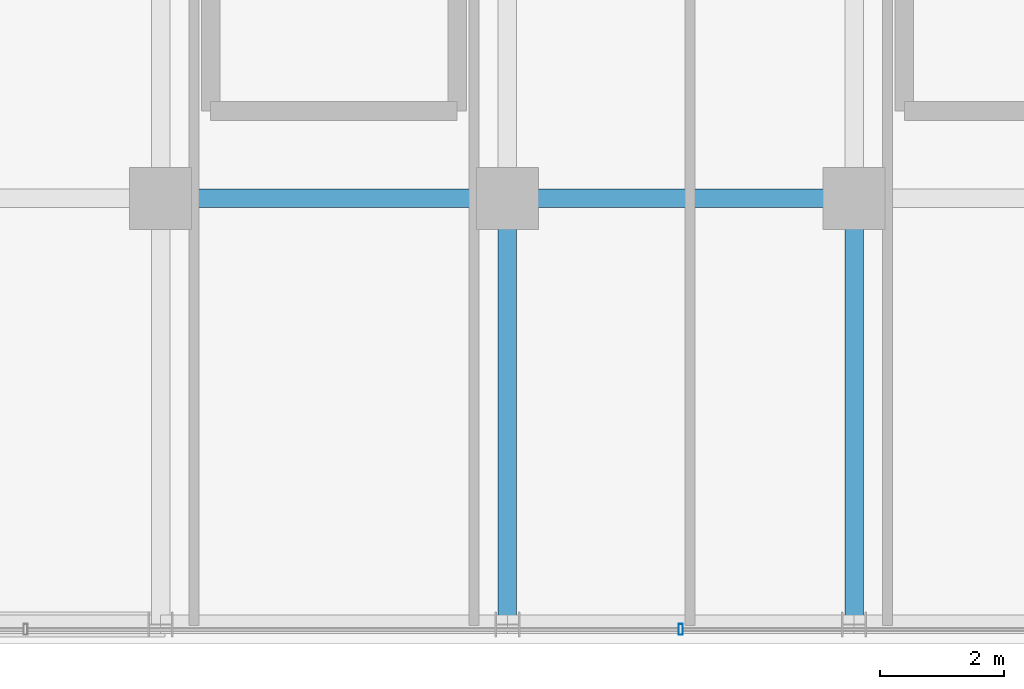
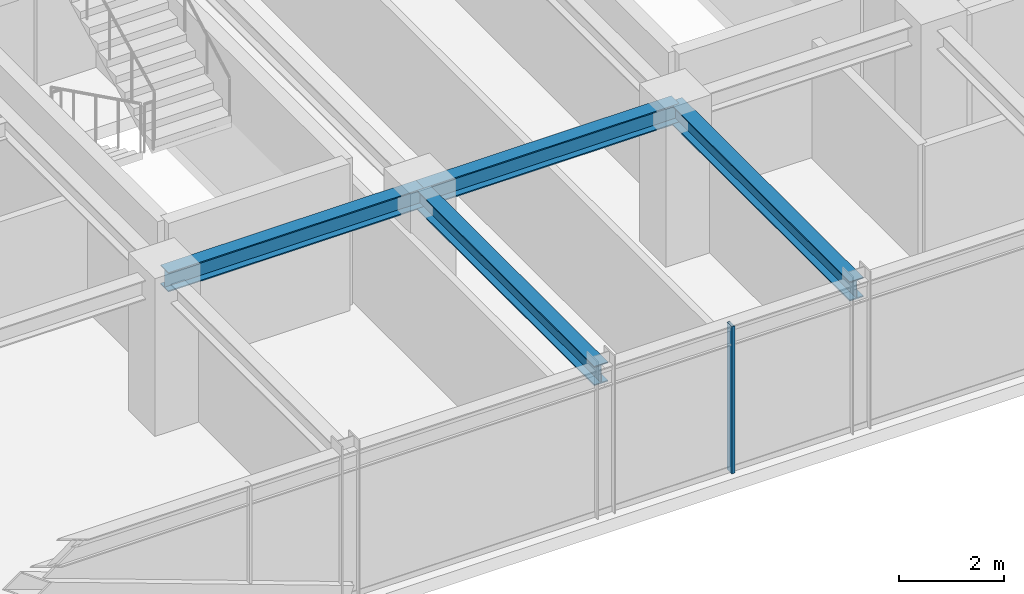
# One storey, part 8 of 42: 4 beams, 1 member, 1 element without a shape of its own.
"""IFC4 building model written with IfcOpenShell, lengths in metres."""

import ifcopenshell
import ifcopenshell.guid

model = None  # the IFC model being written
_history = None  # IfcOwnerHistory: only IFC2X3 demands one
_inside = {}  # id of a spatial element -> (the spatial element, [elements in it])
_under = {}  # id of a project, library or spatial element -> (it, [spatial elements below it])
_declared = {}  # id of a project -> (the project, [libraries it declares])
_typed = {}  # id of a type object -> (the type object, [elements of that type])
_made_of = {}  # id of a material, layer set ... -> (it, [elements and type objects made of it])


def new_model(schema):
    """Start an empty IFC model of exactly this schema.

    Asked for "IFC4X3", IfcOpenShell would pick the latest addendum, in which some entities
    have other attributes; the version numbers below select the first issue.
    IFC2X3 requires an IfcOwnerHistory on every rooted entity: one is made here for all.
    """
    global model, _history
    if schema == "IFC4X3":
        model = ifcopenshell.file(schema_version=(4, 3, 0, 0))
    else:
        model = ifcopenshell.file(schema=schema)
    _inside.clear()
    _under.clear()
    _declared.clear()
    _typed.clear()
    _made_of.clear()
    _history = None
    if model.schema == "IFC2X3":
        org = make("IfcOrganization", Name="unknown")
        user = make(
            "IfcPersonAndOrganization",
            ThePerson=make("IfcPerson", FamilyName="unknown"),
            TheOrganization=org,
        )
        app = make(
            "IfcApplication",
            ApplicationDeveloper=org,
            Version="unknown",
            ApplicationFullName="unknown",
            ApplicationIdentifier="unknown",
        )
        _history = make(
            "IfcOwnerHistory",
            OwningUser=user,
            OwningApplication=app,
            ChangeAction="ADDED",
            CreationDate=0,
        )
    return model


def make(cls, **values):
    """One entity of the class cls with the attributes given. An attribute that is None is left unset."""
    return model.create_entity(
        cls, **{name: value for name, value in values.items() if value is not None}
    )


def rooted(cls, **values):
    """An entity with a GlobalId (a new one), such as an element, a storey or a relation."""
    return make(cls, GlobalId=ifcopenshell.guid.new(), OwnerHistory=_history, **values)


def si_unit(unit_type, name, prefix=None):
    """IfcSIUnit, for example si_unit("LENGTHUNIT", "METRE", prefix="MILLI")."""
    return make("IfcSIUnit", UnitType=unit_type, Prefix=prefix, Name=name)


def assignment(units):
    """IfcUnitAssignment: the units of a project."""
    return None if units is None else make("IfcUnitAssignment", Units=units)


def point(xyz):
    """IfcCartesianPoint."""
    return None if xyz is None else make("IfcCartesianPoint", Coordinates=xyz)


def direction(xyz):
    """IfcDirection."""
    return None if xyz is None else make("IfcDirection", DirectionRatios=xyz)


def frame(location, z_axis=None, x_axis=None):
    """IfcAxis2Placement3D, a coordinate frame: its origin and axes. An axis left out is left unset."""
    return make(
        "IfcAxis2Placement3D",
        Location=point(location),
        Axis=direction(z_axis),
        RefDirection=direction(x_axis),
    )


def frame_2d(location, x_axis=None):
    """IfcAxis2Placement2D, a coordinate frame in the plane: its origin and x axis."""
    return make(
        "IfcAxis2Placement2D", Location=point(location), RefDirection=direction(x_axis)
    )


def origin():
    """The frame at (0, 0, 0) with its axes left unset."""
    return frame((0.0, 0.0, 0.0))


def origin_2d():
    """The frame at (0, 0) in the plane with its x axis left unset."""
    return frame_2d((0.0, 0.0))


def place(relative_to, where):
    """IfcLocalPlacement: puts the frame where relative to a parent placement (None: the world)."""
    return make(
        "IfcLocalPlacement", PlacementRelTo=relative_to, RelativePlacement=where
    )


def context(
    kind, dimensions, precision=None, world=None, true_north=None, identifier=None
):
    """IfcGeometricRepresentationContext, for example the 3D "Model" context."""
    return make(
        "IfcGeometricRepresentationContext",
        ContextIdentifier=identifier,
        ContextType=kind,
        CoordinateSpaceDimension=dimensions,
        Precision=precision,
        WorldCoordinateSystem=world,
        TrueNorth=true_north,
    )


def subcontext(parent, identifier, kind, view, scale=None):
    """IfcGeometricRepresentationSubContext, for example "Body" below "Model"."""
    return make(
        "IfcGeometricRepresentationSubContext",
        ContextIdentifier=identifier,
        ContextType=kind,
        ParentContext=parent,
        TargetScale=scale,
        TargetView=view,
    )


def project(units=None, contexts=None):
    """IfcProject with its units and contexts."""
    return rooted(
        "IfcProject",
        Name="project",
        RepresentationContexts=contexts,
        UnitsInContext=assignment(units),
    )


def spatial(cls, under=None, at=None, **own):
    """A site, building, storey or space (cls), placed at a placement, below another one or the project."""
    s = rooted(cls, ObjectPlacement=at, **own)
    if under is not None:
        _under.setdefault(under.id(), (under, []))[1].append(s)
    return s


def profile(cls, at=None, kind="AREA", **sizes):
    """A parametric profile (cls). Its sizes go by their IFC names, for example OverallWidth=200.0."""
    return make(cls, ProfileType=kind, Position=at, **sizes)


def hollow_rectangle(**sizes):
    """IfcRectangleHollowProfileDef."""
    return profile("IfcRectangleHollowProfileDef", **sizes)


def i_section(**sizes):
    """IfcIShapeProfileDef."""
    return profile("IfcIShapeProfileDef", **sizes)


def extrude(swept, where, along, depth):
    """IfcExtrudedAreaSolid: the profile swept, set in the frame where, extruded along a direction by depth."""
    return make(
        "IfcExtrudedAreaSolid",
        SweptArea=swept,
        Position=where,
        ExtrudedDirection=direction(along),
        Depth=depth,
    )


def shape(context_of_items, identifier, shape_type, items):
    """IfcShapeRepresentation: the items that make up one representation, for example the "Body"."""
    return make(
        "IfcShapeRepresentation",
        ContextOfItems=context_of_items,
        RepresentationIdentifier=identifier,
        RepresentationType=shape_type,
        Items=items,
    )


def source(mapping_origin, context_of_items, identifier, shape_type, items):
    """IfcRepresentationMap: a shape defined once, which mapped items show again and again."""
    return make(
        "IfcRepresentationMap",
        MappingOrigin=mapping_origin,
        MappedRepresentation=shape(context_of_items, identifier, shape_type, items),
    )


def transform(
    local_origin,
    x_axis=None,
    y_axis=None,
    z_axis=None,
    scale=None,
    scale2=None,
    scale3=None,
    uniform=True,
):
    """IfcCartesianTransformationOperator3D, or its non-uniform kind. x_axis, y_axis, z_axis: its Axis1, 2, 3."""
    if uniform:
        return make(
            "IfcCartesianTransformationOperator3D",
            Axis1=direction(x_axis),
            Axis2=direction(y_axis),
            LocalOrigin=point(local_origin),
            Scale=scale,
            Axis3=direction(z_axis),
        )
    return make(
        "IfcCartesianTransformationOperator3DnonUniform",
        Axis1=direction(x_axis),
        Axis2=direction(y_axis),
        LocalOrigin=point(local_origin),
        Scale=scale,
        Axis3=direction(z_axis),
        Scale2=scale2,
        Scale3=scale3,
    )


def mapped(mapping_source, mapping_target):
    """IfcMappedItem: shows the shape of a source again, moved by a transform."""
    return make(
        "IfcMappedItem", MappingSource=mapping_source, MappingTarget=mapping_target
    )


def material(Name=None, Category=None):
    """IfcMaterial."""
    return make("IfcMaterial", Name=Name, Category=Category)


def material_profile(
    of_material, cross_section, Name=None, Category=None, Priority=None
):
    """IfcMaterialProfile: a cross section and its material."""
    return make(
        "IfcMaterialProfile",
        Name=Name,
        Material=of_material,
        Profile=cross_section,
        Priority=Priority,
        Category=Category,
    )


def profile_set(profiles, Name=None, composite=None):
    """IfcMaterialProfileSet."""
    return make(
        "IfcMaterialProfileSet",
        Name=Name,
        MaterialProfiles=profiles,
        CompositeProfile=composite,
    )


def made_of(thing, what):
    """Note that an element or type object is made of a material, layer set ...; save() writes the relation."""
    if what is not None:
        _made_of.setdefault(what.id(), (what, []))[1].append(thing)
    return thing


def type_object(cls, material=None, **own):
    """A type object (cls), such as IfcWallType, which elements share."""
    return made_of(rooted(cls, **own), material)


def element(
    cls,
    number,
    at=None,
    inside=None,
    cuts=None,
    type_object=None,
    material=None,
    context=None,
    identifier="Body",
    shape_type=None,
    held_by="IfcProductDefinitionShape",
    body=None,
    shapes=None,
    **own,
):
    """One element of the class cls, such as IfcWall. Its Tag is "e" and its number.

    at: its placement. inside: the storey or other place that contains it. cuts: it is an
    opening in that element (IfcRelVoidsElement). A single representation is given by context,
    identifier, shape_type and body (its items); several are given by shapes. held_by: the class
    of the entity that holds the representations. save() writes the other relations.
    """
    e = rooted(cls, Tag="e%d" % number, ObjectPlacement=at, **own)
    if body is not None:
        shapes = [shape(context, identifier, shape_type, body)]
    if shapes is not None:
        e.Representation = make(held_by, Representations=shapes)
    if inside is not None:
        _inside.setdefault(inside.id(), (inside, []))[1].append(e)
    if cuts is not None:
        rooted(
            "IfcRelVoidsElement", RelatingBuildingElement=cuts, RelatedOpeningElement=e
        )
    if type_object is not None:
        _typed.setdefault(type_object.id(), (type_object, []))[1].append(e)
    return made_of(e, material)


def aggregate(whole, parts):
    """IfcRelAggregates: a whole, such as a stair, and the parts it consists of."""
    return rooted("IfcRelAggregates", RelatingObject=whole, RelatedObjects=parts)


def save(model, path):
    """Write the relations noted so far, then the file.

    IfcRelAggregates (storeys below a building ...), IfcRelContainedInSpatialStructure (elements
    in a storey), IfcRelDefinesByType, IfcRelAssociatesMaterial and IfcRelDeclares: one each for
    every whole, place, type object, material and project.
    """
    for whole, parts in _under.values():
        aggregate(whole, parts)
    for where, things in _inside.values():
        rooted(
            "IfcRelContainedInSpatialStructure",
            RelatedElements=things,
            RelatingStructure=where,
        )
    for kind, things in _typed.values():
        rooted("IfcRelDefinesByType", RelatedObjects=things, RelatingType=kind)
    for what, things in _made_of.values():
        rooted("IfcRelAssociatesMaterial", RelatedObjects=things, RelatingMaterial=what)
    for by, libraries in _declared.values():
        rooted("IfcRelDeclares", RelatingContext=by, RelatedDefinitions=libraries)
    model.write(path)


model = new_model("IFC4")

# Units and contexts
model_context = context("Model", 3, precision=1e-05, world=origin(), true_north=direction((0.0, 1.0)))
body_context = subcontext(model_context, "Body", "Model", "MODEL_VIEW")
ifc_project = project(units=[si_unit("LENGTHUNIT", "METRE"), si_unit("AREAUNIT", "SQUARE_METRE"), si_unit("VOLUMEUNIT", "CUBIC_METRE"), si_unit("PLANEANGLEUNIT", "RADIAN"), si_unit("MASSUNIT", "GRAM", prefix="KILO")], contexts=[model_context])

# Site, building, storey
site_placement = place(None, origin())
site = spatial("IfcSite", under=ifc_project, at=site_placement, CompositionType="ELEMENT")
building_placement = place(site_placement, origin())
building = spatial("IfcBuilding", under=site, at=building_placement, Name="Nahalor Promenade Grand Hotel", CompositionType="ELEMENT")
storey_placement = place(building_placement, frame((0.0, 0.0, 249.300048828125)))
storey = spatial("IfcBuildingStorey", under=building, at=storey_placement, Name="L64", CompositionType="ELEMENT", Elevation=249.300048828125)

# Beams
ifc_material_1 = material(Name="Steel S355JR", Category="steel")
ifc_material_profile_1 = material_profile(ifc_material_1, i_section(OverallWidth=0.3, OverallDepth=0.45, WebThickness=0.014, FlangeThickness=0.026, at=origin_2d()), Name="HEB 450")
ifc_profile_set_1 = profile_set([ifc_material_profile_1], Name="Steel S355JR")
beam_type = type_object("IfcBeamType", Name="Beam-Girder-HEB450", PredefinedType="BEAM", material=ifc_profile_set_1)
shared_shape_1 = source(origin(), body_context, "Body", "SweptSolid", [
    extrude(i_section(OverallWidth=0.3, OverallDepth=0.45, WebThickness=0.014, FlangeThickness=0.026, at=origin_2d()), origin(), (0.0, 0.0, 1.0), 6.8798828125),
])
for number, where, z_axis, x_axis, name in (
    (1, (-2.800048828125, -23.8798828125, 3.18505859375), (0.0, 1.0, 0.0), (-1.0, 0.0, 0.0), "BM-L64-GY-2-0"),
    (2, (2.800048828125, -23.8798828125, 3.18505859375), (0.0, 1.0, 0.0), (-1.0, 0.0, 0.0), "BM-L64-GY-3-0"),
):
    element("IfcBeam", number, at=place(storey_placement, frame(where, z_axis=z_axis, x_axis=x_axis)), inside=storey, type_object=beam_type, Name=name, PredefinedType="BEAM", context=body_context, shape_type="MappedRepresentation", body=[
        mapped(shared_shape_1, transform((0.0, 0.0, 0.0), scale=1.0)),
    ])
shared_shape_2 = source(origin(), body_context, "Body", "SweptSolid", [
    extrude(i_section(OverallWidth=0.3, OverallDepth=0.45, WebThickness=0.014, FlangeThickness=0.026, at=origin_2d()), origin(), (0.0, 0.0, 1.0), 5.599853515625),
])
beam_1_placement = place(storey_placement, frame((-8.39990234375, -17.0, 3.18505859375), z_axis=(1.0, 0.0, 0.0), x_axis=(0.0, 1.0, 0.0)))
element("IfcBeam", 3, at=beam_1_placement, inside=storey, type_object=beam_type, Name="BM-L64-GX-0-2", PredefinedType="BEAM", context=body_context, shape_type="MappedRepresentation", body=[
    mapped(shared_shape_2, transform((0.0, 0.0, 0.0), scale=1.0)),
])
shared_shape_3 = source(origin(), body_context, "Body", "SweptSolid", [
    extrude(i_section(OverallWidth=0.3, OverallDepth=0.45, WebThickness=0.014, FlangeThickness=0.026, at=origin_2d()), origin(), (0.0, 0.0, 1.0), 5.60009765625),
])
beam_2_placement = place(storey_placement, frame((-2.800048828125, -17.0, 3.18505859375), z_axis=(1.0, 0.0, 0.0), x_axis=(0.0, 1.0, 0.0)))
element("IfcBeam", 4, at=beam_2_placement, inside=storey, type_object=beam_type, Name="BM-L64-GX-0-3", PredefinedType="BEAM", context=body_context, shape_type="MappedRepresentation", body=[
    mapped(shared_shape_3, transform((0.0, 0.0, 0.0), scale=1.0)),
])

# Curtain wall, member
ifc_material_2 = material(Name="Anodised Bronze Aluminium EN AW-6063 T6", Category="aluminium")
curtain_wall_type = type_object("IfcCurtainWallType", Name="CW2 Typical Hotel Flush Bronze Unitised Curtain Wall", PredefinedType="USERDEFINED", material=ifc_material_2)
curtain_wall_placement = place(storey_placement, origin())
curtain_wall = element("IfcCurtainWall", 5, at=curtain_wall_placement, inside=storey, type_object=curtain_wall_type, Name="L64 Curtain Wall CW-L64-S-1", ObjectType="UNITISED_CURTAIN_WALL", PredefinedType="USERDEFINED")
ifc_material_profile_2 = material_profile(ifc_material_2, hollow_rectangle(XDim=0.065, YDim=0.18, WallThickness=0.004, at=origin_2d()), Name="CWM 65x180x4")
ifc_profile_set_2 = profile_set([ifc_material_profile_2], Name="Anodised Bronze Aluminium EN AW-6063 T6")
member_type = type_object("IfcMemberType", Name="CWM2 Typical Bronze Mullion 65x180", PredefinedType="MULLION", material=ifc_profile_set_2)
shared_shape_4 = source(origin(), body_context, "Body", "SweptSolid", [
    extrude(hollow_rectangle(XDim=0.065, YDim=0.18, WallThickness=0.004, at=origin_2d()), origin(), (0.0, 0.0, 1.0), 3.409912109375),
])
member_placement = place(storey_placement, frame((0.0, -23.9599609375, 0.0), z_axis=(0.0, 0.0, 1.0), x_axis=(1.0, 0.0, 0.0)))
member = element("IfcMember", 6, at=member_placement, type_object=member_type, Name="CW-L64-S-1 Mullion 2", PredefinedType="MULLION", context=body_context, shape_type="MappedRepresentation", body=[
    mapped(shared_shape_4, transform((0.0, 0.0, 0.0), scale=1.0)),
])
aggregate(curtain_wall, [member])

save(model, "model.ifc")
